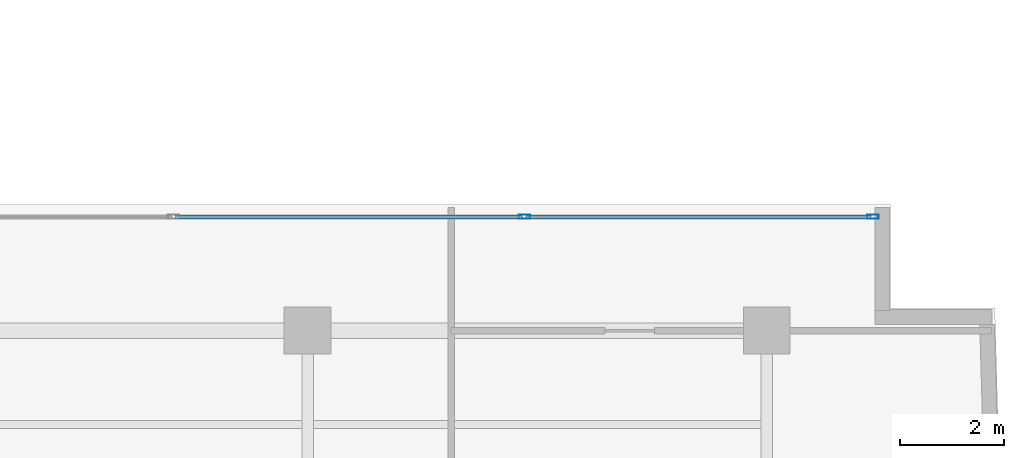
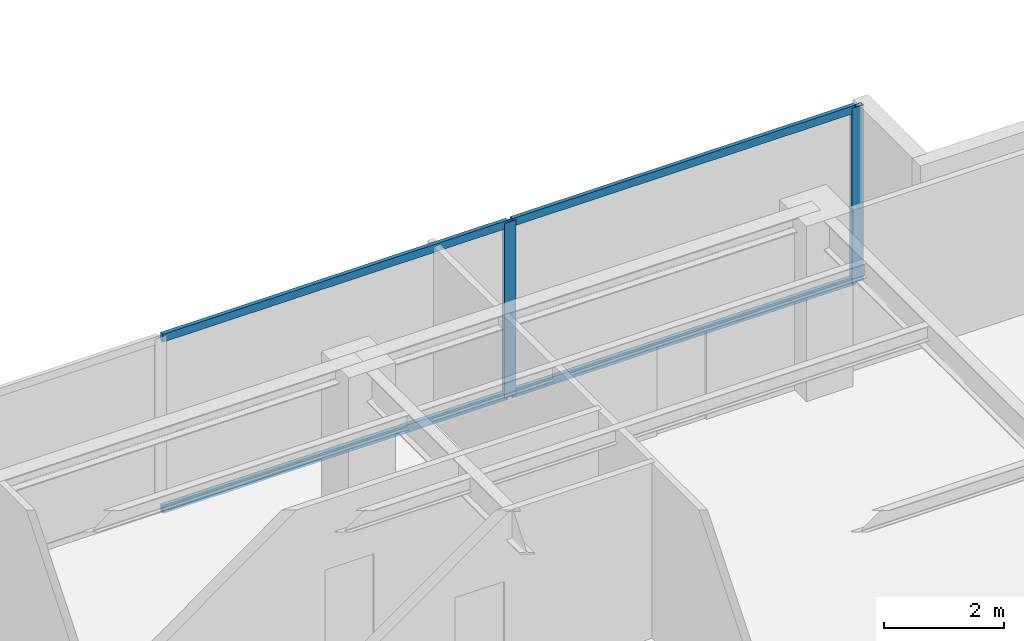
# One storey, part 12 of 22: 6 members, 1 element without a shape of its own.
"""IFC4 building model written with IfcOpenShell, lengths in metres."""

from ifc_helpers import new_model, si_unit, direction, frame, origin, origin_with_axes, origin_2d, place, context, subcontext, project, spatial, hollow_rectangle, extrude, source, transform, mapped, material, layer, layer_set, material_profile, profile_set, type_object, element, aggregate, save


model = new_model("IFC4")

# Units and contexts
model_context = context("Model", 3, precision=1e-05, world=origin(), true_north=direction((0.0, 1.0)))
body_context = subcontext(model_context, "Body", "Model", "MODEL_VIEW")
ifc_project = project(units=[si_unit("LENGTHUNIT", "METRE"), si_unit("AREAUNIT", "SQUARE_METRE"), si_unit("VOLUMEUNIT", "CUBIC_METRE"), si_unit("PLANEANGLEUNIT", "RADIAN"), si_unit("MASSUNIT", "GRAM", prefix="KILO")], contexts=[model_context])

# Site, building, storey
site_placement = place(None, origin())
site = spatial("IfcSite", under=ifc_project, at=site_placement, CompositionType="ELEMENT")
building_placement = place(site_placement, origin())
building = spatial("IfcBuilding", under=site, at=building_placement, Name="Kolvaren Waterfront Exchange", CompositionType="ELEMENT")
storey_placement = place(building_placement, frame((0.0, 0.0, 327.39990234375)))
storey = spatial("IfcBuildingStorey", under=building, at=storey_placement, Name="L84", CompositionType="ELEMENT", Elevation=327.39990234375)

# Curtain wall, members
ifc_material_1 = material(Name="Anodised bronze aluminium 6063-T6", Category="aluminium")
ifc_layer = layer(ifc_material_1, 0.219970703125, Name="Anodised bronze aluminium 6063-T6")
ifc_layer_set = layer_set([ifc_layer], Name="Anodised bronze aluminium 6063-T6")
curtain_wall_type = type_object("IfcCurtainWallType", Name="ARC-CW-SYS1", PredefinedType="USERDEFINED", material=ifc_layer_set)
curtain_wall_placement = place(storey_placement, origin())
curtain_wall = element("IfcCurtainWall", 1, at=curtain_wall_placement, inside=storey, type_object=curtain_wall_type, Name="L84 stick curtain wall CW1 (CW-L84-EN)", ObjectType="STICK CURTAIN WALL", PredefinedType="USERDEFINED")
ifc_material_2 = material(Name="Anodised aluminium 6063-T6", Category="aluminium")
ifc_material_profile_1 = material_profile(ifc_material_2, hollow_rectangle(XDim=0.080078125, YDim=0.219970703125, WallThickness=0.0048828125, at=origin_2d()), Name="ALU-MUL-220x80x5")
ifc_profile_set_1 = profile_set([ifc_material_profile_1], Name="Anodised aluminium 6063-T6")
member_type_1 = type_object("IfcMemberType", Name="ARC-CWM-220", PredefinedType="MULLION", material=ifc_profile_set_1)
shared_shape_1 = source(origin_with_axes(), body_context, "Body", "SweptSolid", [
    extrude(hollow_rectangle(XDim=0.080078125, YDim=0.219970703125, WallThickness=0.0048828125, at=origin_2d()), origin(), (0.0, 0.0, 1.0), 3.56005859375),
])
member_1_placement = place(storey_placement, frame((40.952880859375, 19.5810546875, 0.0), z_axis=(0.0, 0.0, 1.0), x_axis=(0.0, 1.0, 0.0)))
member_1 = element("IfcMember", 2, at=member_1_placement, type_object=member_type_1, Name="CW1 mullion 3", PredefinedType="MULLION", context=body_context, shape_type="MappedRepresentation", body=[
    mapped(shared_shape_1, transform((0.0, 0.0, 0.0), x_axis=(1.0, 0.0, 0.0), y_axis=(0.0, 1.0, 0.0), z_axis=(0.0, 0.0, 1.0), scale=1.0)),
])
member_2_placement = place(storey_placement, frame((47.6337890625, 19.5810546875, 0.0), z_axis=(0.0, 0.0, 1.0), x_axis=(0.0, 1.0, 0.0)))
member_2 = element("IfcMember", 3, at=member_2_placement, type_object=member_type_1, Name="CW1 mullion 4", PredefinedType="MULLION", context=body_context, shape_type="MappedRepresentation", body=[
    mapped(shared_shape_1, transform((0.0, 0.0, 0.0), x_axis=(1.0, 0.0, 0.0), y_axis=(0.0, 1.0, 0.0), z_axis=(0.0, 0.0, 1.0), scale=1.0)),
])
ifc_material_profile_2 = material_profile(ifc_material_2, hollow_rectangle(XDim=0.074951171875, YDim=0.159912109375, WallThickness=0.00439453125, at=origin_2d()), Name="ALU-TRN-160x75x4.5")
ifc_profile_set_2 = profile_set([ifc_material_profile_2], Name="Anodised aluminium 6063-T6")
member_type_2 = type_object("IfcMemberType", Name="ARC-CWT-160", PredefinedType="USERDEFINED", material=ifc_profile_set_2)
shared_shape_2 = source(origin_with_axes(), body_context, "Body", "SweptSolid", [
    extrude(hollow_rectangle(XDim=0.074951171875, YDim=0.159912109375, WallThickness=0.00439453125, at=origin_2d()), origin(), (0.0, 0.0, 1.0), 6.600830078125),
])
member_3_placement = place(storey_placement, frame((40.992919921875, 19.5810546875, 0.03759765625), z_axis=(1.0, 0.0, 0.0), x_axis=(0.0, 1.0, 0.0)))
member_3 = element("IfcMember", 4, at=member_3_placement, type_object=member_type_2, Name="CW1 transom 3.1", ObjectType="TRANSOM", PredefinedType="USERDEFINED", context=body_context, shape_type="MappedRepresentation", body=[
    mapped(shared_shape_2, transform((0.0, 0.0, 0.0), x_axis=(1.0, 0.0, 0.0), y_axis=(0.0, 1.0, 0.0), z_axis=(0.0, 0.0, 1.0), scale=1.0)),
])
member_4_placement = place(storey_placement, frame((40.992919921875, 19.5810546875, 3.522705078125), z_axis=(1.0, 0.0, 0.0), x_axis=(0.0, 1.0, 0.0)))
member_4 = element("IfcMember", 5, at=member_4_placement, type_object=member_type_2, Name="CW1 transom 3.2", ObjectType="TRANSOM", PredefinedType="USERDEFINED", context=body_context, shape_type="MappedRepresentation", body=[
    mapped(shared_shape_2, transform((0.0, 0.0, 0.0), x_axis=(1.0, 0.0, 0.0), y_axis=(0.0, 1.0, 0.0), z_axis=(0.0, 0.0, 1.0), scale=1.0)),
])
shared_shape_3 = source(origin_with_axes(), body_context, "Body", "SweptSolid", [
    extrude(hollow_rectangle(XDim=0.074951171875, YDim=0.159912109375, WallThickness=0.00439453125, at=origin_2d()), origin(), (0.0, 0.0, 1.0), 6.640869140625),
])
member_5_placement = place(storey_placement, frame((34.27197265625, 19.5810546875, 0.03759765625), z_axis=(1.0, 0.0, 0.0), x_axis=(0.0, 1.0, 0.0)))
member_5 = element("IfcMember", 6, at=member_5_placement, type_object=member_type_2, Name="CW1 transom 2.1", ObjectType="TRANSOM", PredefinedType="USERDEFINED", context=body_context, shape_type="MappedRepresentation", body=[
    mapped(shared_shape_3, transform((0.0, 0.0, 0.0), x_axis=(1.0, 0.0, 0.0), y_axis=(0.0, 1.0, 0.0), z_axis=(0.0, 0.0, 1.0), scale=1.0)),
])
member_6_placement = place(storey_placement, frame((34.27197265625, 19.5810546875, 3.522705078125), z_axis=(1.0, 0.0, 0.0), x_axis=(0.0, 1.0, 0.0)))
member_6 = element("IfcMember", 7, at=member_6_placement, type_object=member_type_2, Name="CW1 transom 2.2", ObjectType="TRANSOM", PredefinedType="USERDEFINED", context=body_context, shape_type="MappedRepresentation", body=[
    mapped(shared_shape_3, transform((0.0, 0.0, 0.0), x_axis=(1.0, 0.0, 0.0), y_axis=(0.0, 1.0, 0.0), z_axis=(0.0, 0.0, 1.0), scale=1.0)),
])
aggregate(curtain_wall, [member_1, member_2, member_5, member_6, member_3, member_4])

save(model, "model.ifc")
